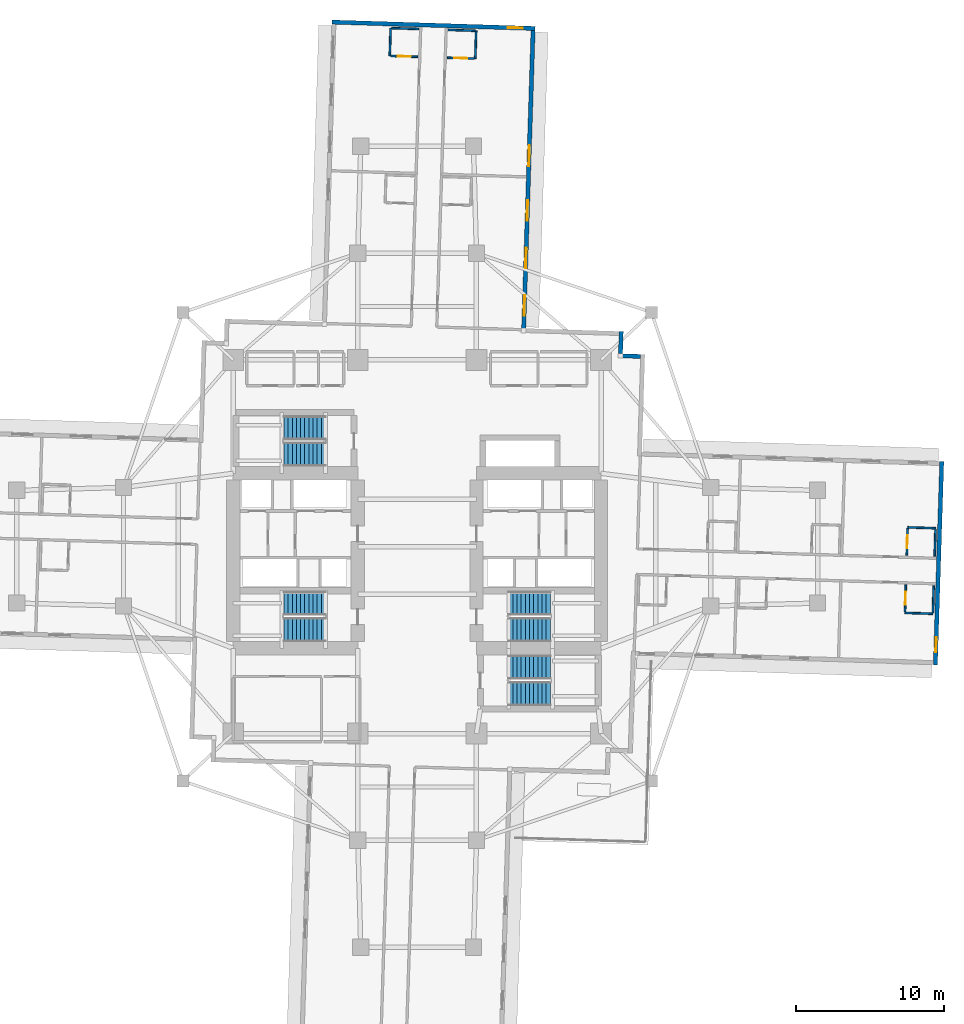
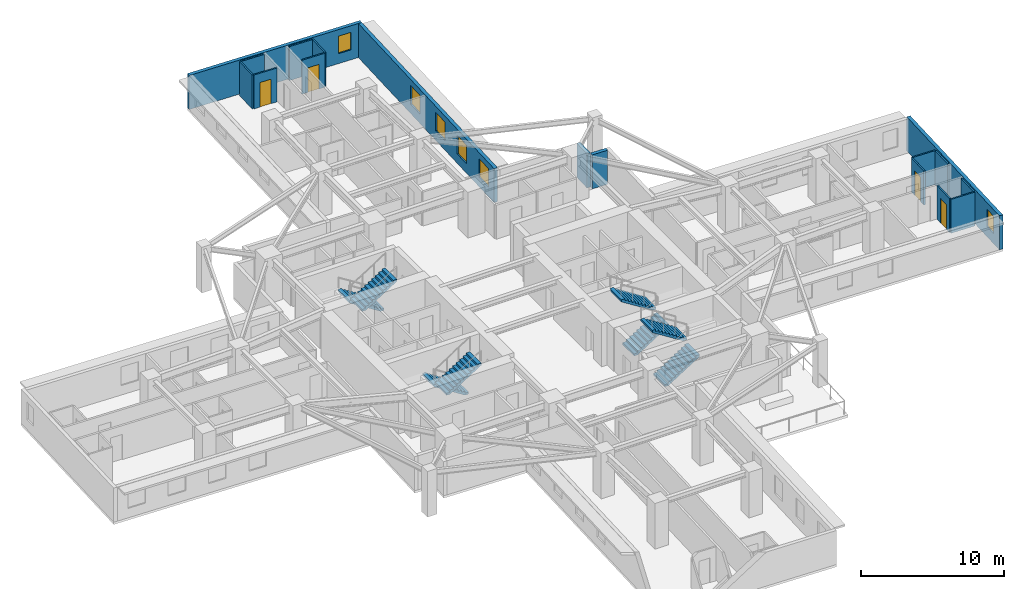
# One storey, part 8 of 13: 17 walls, 8 stair flights, 6 windows, 4 doors, 10 openings, 4 elements without a shape of their own.
"""IFC4 building model written with IfcOpenShell, lengths in metres."""

from ifc_helpers import new_model, si_unit, direction, frame, frame_2d, origin, place, context, subcontext, project, spatial, polyline, rectangle, outline, extrude, material, layer, layer_set, type_object, element, fill, aggregate, save


model = new_model("IFC4")

# Units and contexts
model_context = context("Model", 3, precision=1e-05, world=origin(), true_north=direction((0.0, 1.0)))
body_context = subcontext(model_context, "Body", "Model", "MODEL_VIEW")
ifc_project = project(units=[si_unit("LENGTHUNIT", "METRE"), si_unit("AREAUNIT", "SQUARE_METRE"), si_unit("VOLUMEUNIT", "CUBIC_METRE"), si_unit("PLANEANGLEUNIT", "RADIAN"), si_unit("MASSUNIT", "GRAM", prefix="KILO")], contexts=[model_context])

# Site, building, storey
site_placement = place(None, origin())
site = spatial("IfcSite", under=ifc_project, at=site_placement, CompositionType="ELEMENT")
building_placement = place(site_placement, origin())
building = spatial("IfcBuilding", under=site, at=building_placement, Name="Qingluan Cross Belvedere", CompositionType="ELEMENT")
storey_placement = place(building_placement, frame((0.0, 0.0, 71.699951171875)))
storey = spatial("IfcBuildingStorey", under=building, at=storey_placement, Name="L18", CompositionType="ELEMENT", Elevation=71.699951171875)

# Wall, opening, door
ifc_material_1 = material(Name="Moisture-resistant gypsum board lining")
ifc_layer_1 = layer(ifc_material_1, 0.1201171875, Name="EnsuiteWetPartition_120")
ifc_layer_set_1 = layer_set([ifc_layer_1], Name="Moisture-resistant gypsum board lining")
wall_type_1 = type_object("IfcWallType", Name="EnsuiteWetPartition_120", PredefinedType="PARTITIONING", material=ifc_layer_set_1)
wall_1_placement = place(storey_placement, frame((33.018310546875, -0.577392578125, 0.0), z_axis=(0.0, 0.0, 1.0), x_axis=(0.031255692016, 0.999511421504, 0.0)))
wall_1 = element("IfcWall", 1, at=wall_1_placement, inside=storey, type_object=wall_type_1, Name="Partition L18:E:bs0_2", PredefinedType="PARTITIONING", context=body_context, shape_type="SweptSolid", body=[
    extrude(rectangle(XDim=1.820068359375, YDim=0.1201171875, at=frame_2d((0.91015625, 0.0))), origin(), (0.0, 0.0, 1.0), 2.900146484375),
])
opening_1_placement = place(wall_1_placement, frame((0.469970703125, 0.0, 0.0)))
opening_1 = element("IfcOpeningElement", 2, at=opening_1_placement, cuts=wall_1, Name="Opening BD-09", PredefinedType="OPENING", context=body_context, shape_type="SweptSolid", body=[
    extrude(rectangle(XDim=0.8798828125, YDim=2.10009765625, at=frame_2d((0.43994140625, 1.050048828125))), frame((0.0, 0.070068359375, 0.0), z_axis=(0.0, -1.0, 0.0), x_axis=(1.0, 0.0, 0.0)), (0.0, 0.0, 1.0), 0.14013671875),
])
ifc_material_2 = material(Name="Moisture-sealed timber en-suite door", Category="wood")
door_type = type_object("IfcDoorType", Name="BathroomDoor_880", OperationType="NOTDEFINED", PredefinedType="DOOR", material=ifc_material_2)
door_1_placement = place(opening_1_placement, origin())
door_1 = element("IfcDoor", 3, at=door_1_placement, inside=storey, type_object=door_type, Name="Bathroom door 1803", OperationType="SINGLE_SWING_RIGHT", OverallHeight=2.10009765625, OverallWidth=0.8798828125, PredefinedType="DOOR", context=body_context, shape_type="SweptSolid", body=[
    extrude(rectangle(XDim=0.8798828125, YDim=2.10009765625, at=frame_2d((0.43994140625, 1.050048828125))), frame((0.0, 0.02490234375, 0.0), z_axis=(0.0, -1.0, 0.0), x_axis=(1.0, 0.0, 0.0)), (0.0, 0.0, 1.0), 0.050048828125),
])
fill(opening_1, door_1)

# Walls
wall_2_placement = place(storey_placement, frame((34.897216796875, -0.636474609375, 0.0), z_axis=(0.0, 0.0, 1.0), x_axis=(0.031389704724, 0.999507221803, 0.0)))
element("IfcWall", 4, at=wall_2_placement, inside=storey, type_object=wall_type_1, Name="Partition L18:E:bw0_2", PredefinedType="PARTITIONING", context=body_context, shape_type="SweptSolid", body=[
    extrude(rectangle(XDim=1.820068359375, YDim=0.1201171875, at=frame_2d((0.91015625, 0.0))), origin(), (0.0, 0.0, 1.0), 2.900146484375),
])
wall_3_placement = place(storey_placement, frame((33.077392578125, 1.306640625, 0.0), z_axis=(0.0, 0.0, 1.0), x_axis=(0.999505975261, -0.031429371883, 0.0)))
element("IfcWall", 5, at=wall_3_placement, inside=storey, type_object=wall_type_1, Name="Partition L18:E:bn0_2", PredefinedType="PARTITIONING", context=body_context, shape_type="SweptSolid", body=[
    extrude(rectangle(XDim=1.8798828125, YDim=0.1201171875, at=frame_2d((0.93994140625, 0.0))), origin(), (0.0, 0.0, 1.0), 2.900146484375),
])

# Wall, opening, door
wall_4_placement = place(storey_placement, frame((32.898193359375, -4.3955078125, 0.0), z_axis=(0.0, 0.0, 1.0), x_axis=(0.031389704724, 0.999507221803, 0.0)))
wall_4 = element("IfcWall", 6, at=wall_4_placement, inside=storey, type_object=wall_type_1, Name="Partition L18:E:bs1_2", PredefinedType="PARTITIONING", context=body_context, shape_type="SweptSolid", body=[
    extrude(rectangle(XDim=1.820068359375, YDim=0.1201171875, at=frame_2d((0.91015625, 0.0))), origin(), (0.0, 0.0, 1.0), 2.900146484375),
])
opening_2_placement = place(wall_4_placement, frame((0.469970703125, 0.0, 0.0)))
opening_2 = element("IfcOpeningElement", 7, at=opening_2_placement, cuts=wall_4, Name="Opening BD-09", PredefinedType="OPENING", context=body_context, shape_type="SweptSolid", body=[
    extrude(rectangle(XDim=0.8798828125, YDim=2.10009765625, at=frame_2d((0.43994140625, 1.050048828125))), frame((0.0, 0.070068359375, 0.0), z_axis=(0.0, -1.0, 0.0), x_axis=(1.0, 0.0, 0.0)), (0.0, 0.0, 1.0), 0.14013671875),
])
door_2_placement = place(opening_2_placement, origin())
door_2 = element("IfcDoor", 8, at=door_2_placement, inside=storey, type_object=door_type, Name="Bathroom door 1806", OperationType="SINGLE_SWING_RIGHT", OverallHeight=2.10009765625, OverallWidth=0.8798828125, PredefinedType="DOOR", context=body_context, shape_type="SweptSolid", body=[
    extrude(rectangle(XDim=0.8798828125, YDim=2.10009765625, at=frame_2d((0.43994140625, 1.050048828125))), frame((0.0, 0.02490234375, 0.0), z_axis=(0.0, -1.0, 0.0), x_axis=(1.0, 0.0, 0.0)), (0.0, 0.0, 1.0), 0.050048828125),
])
fill(opening_2, door_2)

# Walls
wall_5_placement = place(storey_placement, frame((34.777099609375, -4.45458984375, 0.0), z_axis=(0.0, 0.0, 1.0), x_axis=(0.03152371574, 0.999503004171, 0.0)))
element("IfcWall", 9, at=wall_5_placement, inside=storey, type_object=wall_type_1, Name="Partition L18:E:bw1_2", PredefinedType="PARTITIONING", context=body_context, shape_type="SweptSolid", body=[
    extrude(rectangle(XDim=1.820068359375, YDim=0.1201171875, at=frame_2d((0.91015625, 0.0))), origin(), (0.0, 0.0, 1.0), 2.900146484375),
])
wall_6_placement = place(storey_placement, frame((32.89599609375, -4.46044921875, 0.0), z_axis=(0.0, 0.0, 1.0), x_axis=(0.999506103526, -0.031425292588, 0.0)))
element("IfcWall", 10, at=wall_6_placement, inside=storey, type_object=wall_type_1, Name="Partition L18:E:bc1_2", PredefinedType="PARTITIONING", context=body_context, shape_type="SweptSolid", body=[
    extrude(rectangle(XDim=1.880126953125, YDim=0.1201171875, at=frame_2d((0.93994140625, 0.0))), origin(), (0.0, 0.0, 1.0), 2.900146484375),
])

# Wall, opening, door
wall_7_placement = place(storey_placement, frame((2.03662109375, 32.972412109375, 0.0), z_axis=(0.0, 0.0, 1.0), x_axis=(0.999503004171, -0.03152371574, 0.0)))
wall_7 = element("IfcWall", 11, at=wall_7_placement, inside=storey, type_object=wall_type_1, Name="Partition L18:N:bs0_1", PredefinedType="PARTITIONING", context=body_context, shape_type="SweptSolid", body=[
    extrude(rectangle(XDim=1.820068359375, YDim=0.1201171875, at=frame_2d((0.91015625, 0.0))), origin(), (0.0, 0.0, 1.0), 2.900146484375),
])
opening_3_placement = place(wall_7_placement, frame((0.469970703125, 0.0, 0.0)))
opening_3 = element("IfcOpeningElement", 12, at=opening_3_placement, cuts=wall_7, Name="Opening BD-09", PredefinedType="OPENING", context=body_context, shape_type="SweptSolid", body=[
    extrude(rectangle(XDim=0.8798828125, YDim=2.10009765625, at=frame_2d((0.43994140625, 1.050048828125))), frame((0.0, 0.070068359375, 0.0), z_axis=(0.0, -1.0, 0.0), x_axis=(1.0, 0.0, 0.0)), (0.0, 0.0, 1.0), 0.14013671875),
])
door_3_placement = place(opening_3_placement, origin())
door_3 = element("IfcDoor", 13, at=door_3_placement, inside=storey, type_object=door_type, Name="Bathroom door 1812", OperationType="SINGLE_SWING_RIGHT", OverallHeight=2.10009765625, OverallWidth=0.8798828125, PredefinedType="DOOR", context=body_context, shape_type="SweptSolid", body=[
    extrude(rectangle(XDim=0.8798828125, YDim=2.10009765625, at=frame_2d((0.43994140625, 1.050048828125))), frame((0.0, 0.02490234375, 0.0), z_axis=(0.0, -1.0, 0.0), x_axis=(1.0, 0.0, 0.0)), (0.0, 0.0, 1.0), 0.050048828125),
])
fill(opening_3, door_3)

# Walls
wall_8_placement = place(storey_placement, frame((2.095703125, 34.851318359375, 0.0), z_axis=(0.0, 0.0, 1.0), x_axis=(0.999507221803, -0.031389704724, 0.0)))
element("IfcWall", 14, at=wall_8_placement, inside=storey, type_object=wall_type_1, Name="Partition L18:N:bw0_1", PredefinedType="PARTITIONING", context=body_context, shape_type="SweptSolid", body=[
    extrude(rectangle(XDim=1.820068359375, YDim=0.1201171875, at=frame_2d((0.91015625, 0.0))), origin(), (0.0, 0.0, 1.0), 2.900146484375),
])
wall_9_placement = place(storey_placement, frame((3.9208984375, 32.9130859375, 0.0), z_axis=(0.0, 0.0, 1.0), x_axis=(0.031295563454, 0.999510173889, 0.0)))
element("IfcWall", 15, at=wall_9_placement, inside=storey, type_object=wall_type_1, Name="Partition L18:N:bn0_1", PredefinedType="PARTITIONING", context=body_context, shape_type="SweptSolid", body=[
    extrude(rectangle(XDim=1.880126953125, YDim=0.1201171875, at=frame_2d((0.93994140625, 0.0))), origin(), (0.0, 0.0, 1.0), 2.900146484375),
])

# Wall, opening, door
wall_10_placement = place(storey_placement, frame((-1.781494140625, 33.09228515625, 0.0), z_axis=(0.0, 0.0, 1.0), x_axis=(0.999507221803, -0.031389704724, 0.0)))
wall_10 = element("IfcWall", 16, at=wall_10_placement, inside=storey, type_object=wall_type_1, Name="Partition L18:N:bs1_1", PredefinedType="PARTITIONING", context=body_context, shape_type="SweptSolid", body=[
    extrude(rectangle(XDim=1.820068359375, YDim=0.1201171875, at=frame_2d((0.91015625, 0.0))), origin(), (0.0, 0.0, 1.0), 2.900146484375),
])
opening_4_placement = place(wall_10_placement, frame((0.469970703125, 0.0, 0.0)))
opening_4 = element("IfcOpeningElement", 17, at=opening_4_placement, cuts=wall_10, Name="Opening BD-09", PredefinedType="OPENING", context=body_context, shape_type="SweptSolid", body=[
    extrude(rectangle(XDim=0.8798828125, YDim=2.10009765625, at=frame_2d((0.43994140625, 1.050048828125))), frame((0.0, 0.070068359375, 0.0), z_axis=(0.0, -1.0, 0.0), x_axis=(1.0, 0.0, 0.0)), (0.0, 0.0, 1.0), 0.14013671875),
])
door_4_placement = place(opening_4_placement, origin())
door_4 = element("IfcDoor", 18, at=door_4_placement, inside=storey, type_object=door_type, Name="Bathroom door 1814", OperationType="SINGLE_SWING_RIGHT", OverallHeight=2.10009765625, OverallWidth=0.8798828125, PredefinedType="DOOR", context=body_context, shape_type="SweptSolid", body=[
    extrude(rectangle(XDim=0.8798828125, YDim=2.10009765625, at=frame_2d((0.43994140625, 1.050048828125))), frame((0.0, 0.02490234375, 0.0), z_axis=(0.0, -1.0, 0.0), x_axis=(1.0, 0.0, 0.0)), (0.0, 0.0, 1.0), 0.050048828125),
])
fill(opening_4, door_4)

# Walls
wall_11_placement = place(storey_placement, frame((-1.722412109375, 34.971435546875, 0.0), z_axis=(0.0, 0.0, 1.0), x_axis=(0.999507221803, -0.031389704724, 0.0)))
element("IfcWall", 19, at=wall_11_placement, inside=storey, type_object=wall_type_1, Name="Partition L18:N:bw1_1", PredefinedType="PARTITIONING", context=body_context, shape_type="SweptSolid", body=[
    extrude(rectangle(XDim=1.820068359375, YDim=0.1201171875, at=frame_2d((0.91015625, 0.0))), origin(), (0.0, 0.0, 1.0), 2.900146484375),
])
wall_12_placement = place(storey_placement, frame((-1.846435546875, 33.09423828125, 0.0), z_axis=(0.0, 0.0, 1.0), x_axis=(0.031425292588, 0.999506103526, 0.0)))
element("IfcWall", 20, at=wall_12_placement, inside=storey, type_object=wall_type_1, Name="Partition L18:N:bc1_1", PredefinedType="PARTITIONING", context=body_context, shape_type="SweptSolid", body=[
    extrude(rectangle(XDim=1.880126953125, YDim=0.1201171875, at=frame_2d((0.93994140625, 0.0))), origin(), (0.0, 0.0, 1.0), 2.900146484375),
])

# Wall, opening, window
ifc_material_3 = material(Name="Precast concrete C45", Category="concrete")
ifc_layer_2 = layer(ifc_material_3, 0.280029296875, Name="PrecastFacadeWall_280")
ifc_layer_set_2 = layer_set([ifc_layer_2], Name="Precast concrete C45")
wall_type_2 = type_object("IfcWallType", Name="PrecastFacadeWall_280", PredefinedType="STANDARD", material=ifc_layer_set_2)
wall_13_placement = place(storey_placement, frame((34.947265625, -7.961669921875, 0.0), z_axis=(0.0, 0.0, 1.0), x_axis=(0.031406966164, 0.999506679556, 0.0)))
wall_13 = element("IfcWall", 21, at=wall_13_placement, inside=storey, type_object=wall_type_2, Name="Arm tip precast facade wall L18-E", PredefinedType="STANDARD", context=body_context, shape_type="SweptSolid", body=[
    extrude(rectangle(XDim=13.72021484375, YDim=0.280029296875, at=frame_2d((6.860107421875, 0.0))), origin(), (0.0, 0.0, 1.0), 2.91015625),
])
opening_5_placement = place(wall_13_placement, frame((0.85009765625, 0.0, 0.85009765625)))
opening_5 = element("IfcOpeningElement", 22, at=opening_5_placement, cuts=wall_13, Name="Opening W-03", PredefinedType="OPENING", context=body_context, shape_type="SweptSolid", body=[
    extrude(rectangle(XDim=1.0, YDim=1.5, at=frame_2d((0.5, 0.75))), frame((0.0, 0.14990234375, 0.0), z_axis=(0.0, -1.0, 0.0), x_axis=(1.0, 0.0, 0.0)), (0.0, 0.0, 1.0), 0.300048828125),
])
ifc_material_4 = material(Name="Thermally broken triple Low-E glass in aluminium frame", Category="aluminium")
window_type_1 = type_object("IfcWindowType", Name="TriApexWin_1000x1500", PartitioningType="SINGLE_PANEL", PredefinedType="WINDOW", material=ifc_material_4)
window_1_placement = place(opening_5_placement, origin())
window_1 = element("IfcWindow", 23, at=window_1_placement, inside=storey, type_object=window_type_1, Name="Arm tip triangular window L18-E", OverallHeight=1.5, OverallWidth=1.0, PartitioningType="SINGLE_PANEL", PredefinedType="WINDOW", context=body_context, shape_type="SweptSolid", body=[
    extrude(rectangle(XDim=1.0, YDim=1.5, at=frame_2d((0.5, 0.75))), frame((0.0, 0.030029296875, 0.0), z_axis=(0.0, -1.0, 0.0), x_axis=(1.0, 0.0, 0.0)), (0.0, 0.0, 1.0), 0.06005859375),
])
fill(opening_5, window_1)

# Wall, openings, windows
wall_14_placement = place(storey_placement, frame((7.18603515625, 14.721435546875, 0.0), z_axis=(0.0, 0.0, 1.0), x_axis=(0.031410322165, 0.999506574096, 0.0)))
wall_14 = element("IfcWall", 24, at=wall_14_placement, inside=storey, type_object=wall_type_2, Name="Facade wall L18-NA", PredefinedType="STANDARD", context=body_context, shape_type="SweptSolid", body=[
    extrude(rectangle(XDim=20.10009765625, YDim=0.280029296875, at=frame_2d((10.050048828125, 0.0))), origin(), (0.0, 0.0, 1.0), 2.91015625),
])
opening_6_placement = place(wall_14_placement, frame((0.85009765625, 0.0, 0.800048828125)))
opening_6 = element("IfcOpeningElement", 25, at=opening_6_placement, cuts=wall_14, Name="Opening W-01", PredefinedType="OPENING", context=body_context, shape_type="SweptSolid", body=[
    extrude(rectangle(XDim=1.39990234375, YDim=1.60009765625, at=frame_2d((0.699951171875, 0.800048828125))), frame((0.0, 0.14990234375, 0.0), z_axis=(0.0, -1.0, 0.0), x_axis=(1.0, 0.0, 0.0)), (0.0, 0.0, 1.0), 0.300048828125),
])
opening_7_placement = place(wall_14_placement, frame((4.050048828125, 0.0, 0.800048828125)))
opening_7 = element("IfcOpeningElement", 26, at=opening_7_placement, cuts=wall_14, Name="Opening W-01", PredefinedType="OPENING", context=body_context, shape_type="SweptSolid", body=[
    extrude(rectangle(XDim=1.39990234375, YDim=1.60009765625, at=frame_2d((0.699951171875, 0.800048828125))), frame((0.0, 0.14990234375, 0.0), z_axis=(0.0, -1.0, 0.0), x_axis=(1.0, 0.0, 0.0)), (0.0, 0.0, 1.0), 0.300048828125),
])
opening_8_placement = place(wall_14_placement, frame((7.25, 0.0, 0.800048828125)))
opening_8 = element("IfcOpeningElement", 27, at=opening_8_placement, cuts=wall_14, Name="Opening W-01", PredefinedType="OPENING", context=body_context, shape_type="SweptSolid", body=[
    extrude(rectangle(XDim=1.39990234375, YDim=1.60009765625, at=frame_2d((0.699951171875, 0.800048828125))), frame((0.0, 0.14990234375, 0.0), z_axis=(0.0, -1.0, 0.0), x_axis=(1.0, 0.0, 0.0)), (0.0, 0.0, 1.0), 0.300048828125),
])
opening_9_placement = place(wall_14_placement, frame((10.949951171875, 0.0, 0.800048828125)))
opening_9 = element("IfcOpeningElement", 28, at=opening_9_placement, cuts=wall_14, Name="Opening W-01", PredefinedType="OPENING", context=body_context, shape_type="SweptSolid", body=[
    extrude(rectangle(XDim=1.39990234375, YDim=1.60009765625, at=frame_2d((0.699951171875, 0.800048828125))), frame((0.0, 0.14990234375, 0.0), z_axis=(0.0, -1.0, 0.0), x_axis=(1.0, 0.0, 0.0)), (0.0, 0.0, 1.0), 0.300048828125),
])
ifc_material_5 = material(Name="Thermally broken triple Low-E glass in aluminium frame", Category="aluminium")
window_type_2 = type_object("IfcWindowType", Name="TriRibbonWin_1400x1600", PartitioningType="SINGLE_PANEL", PredefinedType="WINDOW", material=ifc_material_5)
window_2_placement = place(opening_6_placement, origin())
window_2 = element("IfcWindow", 29, at=window_2_placement, inside=storey, type_object=window_type_2, Name="Ribbon window L18-NA-1", OverallHeight=1.60009765625, OverallWidth=1.39990234375, PartitioningType="SINGLE_PANEL", PredefinedType="WINDOW", context=body_context, shape_type="SweptSolid", body=[
    extrude(rectangle(XDim=1.39990234375, YDim=1.60009765625, at=frame_2d((0.699951171875, 0.800048828125))), frame((0.0, 0.030029296875, 0.0), z_axis=(0.0, -1.0, 0.0), x_axis=(1.0, 0.0, 0.0)), (0.0, 0.0, 1.0), 0.06005859375),
])
fill(opening_6, window_2)
window_3_placement = place(opening_7_placement, origin())
window_3 = element("IfcWindow", 30, at=window_3_placement, inside=storey, type_object=window_type_2, Name="Ribbon window L18-NA-2", OverallHeight=1.60009765625, OverallWidth=1.39990234375, PartitioningType="SINGLE_PANEL", PredefinedType="WINDOW", context=body_context, shape_type="SweptSolid", body=[
    extrude(rectangle(XDim=1.39990234375, YDim=1.60009765625, at=frame_2d((0.699951171875, 0.800048828125))), frame((0.0, 0.030029296875, 0.0), z_axis=(0.0, -1.0, 0.0), x_axis=(1.0, 0.0, 0.0)), (0.0, 0.0, 1.0), 0.06005859375),
])
fill(opening_7, window_3)
window_4_placement = place(opening_8_placement, origin())
window_4 = element("IfcWindow", 31, at=window_4_placement, inside=storey, type_object=window_type_2, Name="Ribbon window L18-NA-3", OverallHeight=1.60009765625, OverallWidth=1.39990234375, PartitioningType="SINGLE_PANEL", PredefinedType="WINDOW", context=body_context, shape_type="SweptSolid", body=[
    extrude(rectangle(XDim=1.39990234375, YDim=1.60009765625, at=frame_2d((0.699951171875, 0.800048828125))), frame((0.0, 0.030029296875, 0.0), z_axis=(0.0, -1.0, 0.0), x_axis=(1.0, 0.0, 0.0)), (0.0, 0.0, 1.0), 0.06005859375),
])
fill(opening_8, window_4)
window_5_placement = place(opening_9_placement, origin())
window_5 = element("IfcWindow", 32, at=window_5_placement, inside=storey, type_object=window_type_2, Name="Ribbon window L18-NA-4", OverallHeight=1.60009765625, OverallWidth=1.39990234375, PartitioningType="SINGLE_PANEL", PredefinedType="WINDOW", context=body_context, shape_type="SweptSolid", body=[
    extrude(rectangle(XDim=1.39990234375, YDim=1.60009765625, at=frame_2d((0.699951171875, 0.800048828125))), frame((0.0, 0.030029296875, 0.0), z_axis=(0.0, -1.0, 0.0), x_axis=(1.0, 0.0, 0.0)), (0.0, 0.0, 1.0), 0.06005859375),
])
fill(opening_9, window_5)

# Wall, opening, window
wall_15_placement = place(storey_placement, frame((7.961669921875, 34.947265625, 0.0), z_axis=(0.0, 0.0, 1.0), x_axis=(-0.999506679556, 0.031406966164, 0.0)))
wall_15 = element("IfcWall", 33, at=wall_15_placement, inside=storey, type_object=wall_type_2, Name="Arm tip precast facade wall L18-N", PredefinedType="STANDARD", context=body_context, shape_type="SweptSolid", body=[
    extrude(rectangle(XDim=13.72021484375, YDim=0.280029296875, at=frame_2d((6.860107421875, 0.0))), origin(), (0.0, 0.0, 1.0), 2.91015625),
])
opening_10_placement = place(wall_15_placement, frame((0.85009765625, 0.0, 0.85009765625)))
opening_10 = element("IfcOpeningElement", 34, at=opening_10_placement, cuts=wall_15, Name="Opening W-03", PredefinedType="OPENING", context=body_context, shape_type="SweptSolid", body=[
    extrude(rectangle(XDim=1.0, YDim=1.5, at=frame_2d((0.5, 0.75))), frame((0.0, 0.14990234375, 0.0), z_axis=(0.0, -1.0, 0.0), x_axis=(1.0, 0.0, 0.0)), (0.0, 0.0, 1.0), 0.300048828125),
])
window_6_placement = place(opening_10_placement, origin())
window_6 = element("IfcWindow", 35, at=window_6_placement, inside=storey, type_object=window_type_1, Name="Arm tip triangular window L18-N", OverallHeight=1.5, OverallWidth=1.0, PartitioningType="SINGLE_PANEL", PredefinedType="WINDOW", context=body_context, shape_type="SweptSolid", body=[
    extrude(rectangle(XDim=1.0, YDim=1.5, at=frame_2d((0.5, 0.75))), frame((0.0, 0.030029296875, 0.0), z_axis=(0.0, -1.0, 0.0), x_axis=(1.0, 0.0, 0.0)), (0.0, 0.0, 1.0), 0.06005859375),
])
fill(opening_10, window_6)

# Walls
wall_16_placement = place(storey_placement, frame((15.070556640625, 12.8330078125, 0.0), z_axis=(0.0, 0.0, 1.0), x_axis=(-0.999506398264, 0.031415916822, 0.0)))
element("IfcWall", 36, at=wall_16_placement, inside=storey, type_object=wall_type_2, Name="Corner wall L18-NE2", PredefinedType="STANDARD", context=body_context, shape_type="SweptSolid", body=[
    extrude(rectangle(XDim=1.219970703125, YDim=0.280029296875, at=frame_2d((0.60986328125, 0.0))), origin(), (0.0, 0.0, 1.0), 2.91015625),
])
wall_17_placement = place(storey_placement, frame((13.715576171875, 13.015625, 0.0), z_axis=(0.0, 0.0, 1.0), x_axis=(0.031412596484, 0.999506502621, 0.0)))
element("IfcWall", 37, at=wall_17_placement, inside=storey, type_object=wall_type_2, Name="Corner wall L18-NE3", PredefinedType="STANDARD", context=body_context, shape_type="SweptSolid", body=[
    extrude(rectangle(XDim=1.5, YDim=0.280029296875, at=frame_2d((0.75, 0.0))), origin(), (0.0, 0.0, 1.0), 2.91015625),
])

# Stair, stair flights
ifc_material_6 = material(Name="Concrete C40", Category="concrete")
stair_type = type_object("IfcStairType", Name="CoreDoglegStair_1620", PredefinedType="HALF_TURN_STAIR", material=ifc_material_6)
stair_1_placement = place(storey_placement, origin())
stair_1 = element("IfcStair", 38, at=stair_1_placement, inside=storey, type_object=stair_type, Name="L18 ST1", PredefinedType="HALF_TURN_STAIR")
ifc_material_7 = material(Name="Concrete C40", Category="concrete")
ifc_layer_3 = layer(ifc_material_7, 0.179931640625, Name="StairFlight_RC180")
ifc_layer_set_3 = layer_set([ifc_layer_3], Name="Concrete C40")
stair_flight_type = type_object("IfcStairFlightType", Name="StairFlight_RC180", PredefinedType="STRAIGHT", material=ifc_layer_set_3)
stair_flight_1_placement = place(storey_placement, frame((-6.179931640625, -3.81005859375, 0.0), z_axis=(0.0, 0.0, 1.0), x_axis=(-1.0, 0.0, 0.0)))
stair_flight_1 = element("IfcStairFlight", 39, at=stair_flight_1_placement, type_object=stair_flight_type, Name="ST1 flight 1", NumberOfRisers=11, NumberOfTreads=10, PredefinedType="STRAIGHT", RiserHeight=0.177272727, TreadLength=0.28, context=body_context, shape_type="SweptSolid", body=[
    extrude(outline(polyline([(0.0, 0.0), (0.0, 0.17724609375), (0.280029296875, 0.17724609375), (0.280029296875, 0.3544921875), (0.56005859375, 0.3544921875), (0.56005859375, 0.53173828125), (0.840087890625, 0.53173828125), (0.840087890625, 0.708984375), (1.1201171875, 0.708984375), (1.1201171875, 0.886474609375), (1.39990234375, 0.886474609375), (1.39990234375, 1.063720703125), (1.679931640625, 1.063720703125), (1.679931640625, 1.240966796875), (1.9599609375, 1.240966796875), (1.9599609375, 1.418212890625), (2.239990234375, 1.418212890625), (2.239990234375, 1.595458984375), (2.52001953125, 1.595458984375), (2.52001953125, 1.772705078125), (2.800048828125, 1.772705078125), (2.800048828125, 1.949951171875), (2.800048828125, 1.59521484375), (0.2802734375, 0.0), (0.0, 0.0)])), frame((0.0, 0.81005859375, 0.0), z_axis=(0.0, -1.0, 0.0), x_axis=(1.0, 0.0, 0.0)), (0.0, 0.0, 1.0), 1.6201171875),
])
stair_flight_2_placement = place(storey_placement, frame((-8.97998046875, -5.590087890625, 1.949951171875), z_axis=(0.0, 0.0, 1.0), x_axis=(1.0, 0.0, 0.0)))
stair_flight_2 = element("IfcStairFlight", 40, at=stair_flight_2_placement, type_object=stair_flight_type, Name="ST1 flight 2", NumberOfRisers=11, NumberOfTreads=10, PredefinedType="STRAIGHT", RiserHeight=0.177272727, TreadLength=0.28, context=body_context, shape_type="SweptSolid", body=[
    extrude(outline(polyline([(0.0, 0.0), (0.0, 0.17724609375), (0.280029296875, 0.17724609375), (0.280029296875, 0.3544921875), (0.56005859375, 0.3544921875), (0.56005859375, 0.53173828125), (0.840087890625, 0.53173828125), (0.840087890625, 0.708984375), (1.1201171875, 0.708984375), (1.1201171875, 0.886474609375), (1.39990234375, 0.886474609375), (1.39990234375, 1.063720703125), (1.679931640625, 1.063720703125), (1.679931640625, 1.240966796875), (1.9599609375, 1.240966796875), (1.9599609375, 1.418212890625), (2.239990234375, 1.418212890625), (2.239990234375, 1.595458984375), (2.52001953125, 1.595458984375), (2.52001953125, 1.772705078125), (2.800048828125, 1.772705078125), (2.800048828125, 1.949951171875), (2.800048828125, 1.59521484375), (0.2802734375, 0.0), (0.0, 0.0)])), frame((0.0, 0.81005859375, 0.0), z_axis=(0.0, -1.0, 0.0), x_axis=(1.0, 0.0, 0.0)), (0.0, 0.0, 1.0), 1.6201171875),
])
aggregate(stair_1, [stair_flight_1, stair_flight_2])

stair_2_placement = place(storey_placement, origin())
stair_2 = element("IfcStair", 41, at=stair_2_placement, inside=storey, type_object=stair_type, Name="L18 ST2", PredefinedType="HALF_TURN_STAIR")
stair_flight_3_placement = place(storey_placement, frame((6.179931640625, -5.590087890625, 0.0), z_axis=(0.0, 0.0, 1.0), x_axis=(1.0, 0.0, 0.0)))
stair_flight_3 = element("IfcStairFlight", 42, at=stair_flight_3_placement, type_object=stair_flight_type, Name="ST2 flight 1", NumberOfRisers=11, NumberOfTreads=10, PredefinedType="STRAIGHT", RiserHeight=0.177272727, TreadLength=0.28, context=body_context, shape_type="SweptSolid", body=[
    extrude(outline(polyline([(0.0, 0.0), (0.0, 0.17724609375), (0.280029296875, 0.17724609375), (0.280029296875, 0.3544921875), (0.56005859375, 0.3544921875), (0.56005859375, 0.53173828125), (0.840087890625, 0.53173828125), (0.840087890625, 0.708984375), (1.1201171875, 0.708984375), (1.1201171875, 0.886474609375), (1.39990234375, 0.886474609375), (1.39990234375, 1.063720703125), (1.679931640625, 1.063720703125), (1.679931640625, 1.240966796875), (1.9599609375, 1.240966796875), (1.9599609375, 1.418212890625), (2.239990234375, 1.418212890625), (2.239990234375, 1.595458984375), (2.52001953125, 1.595458984375), (2.52001953125, 1.772705078125), (2.800048828125, 1.772705078125), (2.800048828125, 1.949951171875), (2.800048828125, 1.59521484375), (0.2802734375, 0.0), (0.0, 0.0)])), frame((0.0, 0.81005859375, 0.0), z_axis=(0.0, -1.0, 0.0), x_axis=(1.0, 0.0, 0.0)), (0.0, 0.0, 1.0), 1.6201171875),
])
stair_flight_4_placement = place(storey_placement, frame((8.97998046875, -3.81005859375, 1.949951171875), z_axis=(0.0, 0.0, 1.0), x_axis=(-1.0, 0.0, 0.0)))
stair_flight_4 = element("IfcStairFlight", 43, at=stair_flight_4_placement, type_object=stair_flight_type, Name="ST2 flight 2", NumberOfRisers=11, NumberOfTreads=10, PredefinedType="STRAIGHT", RiserHeight=0.177272727, TreadLength=0.28, context=body_context, shape_type="SweptSolid", body=[
    extrude(outline(polyline([(0.0, 0.0), (0.0, 0.17724609375), (0.280029296875, 0.17724609375), (0.280029296875, 0.3544921875), (0.56005859375, 0.3544921875), (0.56005859375, 0.53173828125), (0.840087890625, 0.53173828125), (0.840087890625, 0.708984375), (1.1201171875, 0.708984375), (1.1201171875, 0.886474609375), (1.39990234375, 0.886474609375), (1.39990234375, 1.063720703125), (1.679931640625, 1.063720703125), (1.679931640625, 1.240966796875), (1.9599609375, 1.240966796875), (1.9599609375, 1.418212890625), (2.239990234375, 1.418212890625), (2.239990234375, 1.595458984375), (2.52001953125, 1.595458984375), (2.52001953125, 1.772705078125), (2.800048828125, 1.772705078125), (2.800048828125, 1.949951171875), (2.800048828125, 1.59521484375), (0.2802734375, 0.0), (0.0, 0.0)])), frame((0.0, 0.81005859375, 0.0), z_axis=(0.0, -1.0, 0.0), x_axis=(1.0, 0.0, 0.0)), (0.0, 0.0, 1.0), 1.6201171875),
])
aggregate(stair_2, [stair_flight_3, stair_flight_4])

stair_3_placement = place(storey_placement, origin())
stair_3 = element("IfcStair", 44, at=stair_3_placement, inside=storey, type_object=stair_type, Name="L18 ST3", PredefinedType="HALF_TURN_STAIR")
stair_flight_5_placement = place(storey_placement, frame((-6.179931640625, 8.010009765625, 0.0), z_axis=(0.0, 0.0, 1.0), x_axis=(-1.0, 0.0, 0.0)))
stair_flight_5 = element("IfcStairFlight", 45, at=stair_flight_5_placement, type_object=stair_flight_type, Name="ST3 flight 1", NumberOfRisers=11, NumberOfTreads=10, PredefinedType="STRAIGHT", RiserHeight=0.177272727, TreadLength=0.28, context=body_context, shape_type="SweptSolid", body=[
    extrude(outline(polyline([(0.0, 0.0), (0.0, 0.17724609375), (0.280029296875, 0.17724609375), (0.280029296875, 0.3544921875), (0.56005859375, 0.3544921875), (0.56005859375, 0.53173828125), (0.840087890625, 0.53173828125), (0.840087890625, 0.708984375), (1.1201171875, 0.708984375), (1.1201171875, 0.886474609375), (1.39990234375, 0.886474609375), (1.39990234375, 1.063720703125), (1.679931640625, 1.063720703125), (1.679931640625, 1.240966796875), (1.9599609375, 1.240966796875), (1.9599609375, 1.418212890625), (2.239990234375, 1.418212890625), (2.239990234375, 1.595458984375), (2.52001953125, 1.595458984375), (2.52001953125, 1.772705078125), (2.800048828125, 1.772705078125), (2.800048828125, 1.949951171875), (2.800048828125, 1.59521484375), (0.2802734375, 0.0), (0.0, 0.0)])), frame((0.0, 0.81005859375, 0.0), z_axis=(0.0, -1.0, 0.0), x_axis=(1.0, 0.0, 0.0)), (0.0, 0.0, 1.0), 1.6201171875),
])
stair_flight_6_placement = place(storey_placement, frame((-8.97998046875, 6.22998046875, 1.949951171875), z_axis=(0.0, 0.0, 1.0), x_axis=(1.0, 0.0, 0.0)))
stair_flight_6 = element("IfcStairFlight", 46, at=stair_flight_6_placement, type_object=stair_flight_type, Name="ST3 flight 2", NumberOfRisers=11, NumberOfTreads=10, PredefinedType="STRAIGHT", RiserHeight=0.177272727, TreadLength=0.28, context=body_context, shape_type="SweptSolid", body=[
    extrude(outline(polyline([(0.0, 0.0), (0.0, 0.17724609375), (0.280029296875, 0.17724609375), (0.280029296875, 0.3544921875), (0.56005859375, 0.3544921875), (0.56005859375, 0.53173828125), (0.840087890625, 0.53173828125), (0.840087890625, 0.708984375), (1.1201171875, 0.708984375), (1.1201171875, 0.886474609375), (1.39990234375, 0.886474609375), (1.39990234375, 1.063720703125), (1.679931640625, 1.063720703125), (1.679931640625, 1.240966796875), (1.9599609375, 1.240966796875), (1.9599609375, 1.418212890625), (2.239990234375, 1.418212890625), (2.239990234375, 1.595458984375), (2.52001953125, 1.595458984375), (2.52001953125, 1.772705078125), (2.800048828125, 1.772705078125), (2.800048828125, 1.949951171875), (2.800048828125, 1.59521484375), (0.2802734375, 0.0), (0.0, 0.0)])), frame((0.0, 0.81005859375, 0.0), z_axis=(0.0, -1.0, 0.0), x_axis=(1.0, 0.0, 0.0)), (0.0, 0.0, 1.0), 1.6201171875),
])
aggregate(stair_3, [stair_flight_5, stair_flight_6])

stair_4_placement = place(storey_placement, origin())
stair_4 = element("IfcStair", 47, at=stair_4_placement, inside=storey, type_object=stair_type, Name="L18 ST4", PredefinedType="HALF_TURN_STAIR")
stair_flight_7_placement = place(storey_placement, frame((6.179931640625, -9.909912109375, 0.0), z_axis=(0.0, 0.0, 1.0), x_axis=(1.0, 0.0, 0.0)))
stair_flight_7 = element("IfcStairFlight", 48, at=stair_flight_7_placement, type_object=stair_flight_type, Name="ST4 flight 1", NumberOfRisers=11, NumberOfTreads=10, PredefinedType="STRAIGHT", RiserHeight=0.177272727, TreadLength=0.28, context=body_context, shape_type="SweptSolid", body=[
    extrude(outline(polyline([(0.0, 0.0), (0.0, 0.17724609375), (0.280029296875, 0.17724609375), (0.280029296875, 0.3544921875), (0.56005859375, 0.3544921875), (0.56005859375, 0.53173828125), (0.840087890625, 0.53173828125), (0.840087890625, 0.708984375), (1.1201171875, 0.708984375), (1.1201171875, 0.886474609375), (1.39990234375, 0.886474609375), (1.39990234375, 1.063720703125), (1.679931640625, 1.063720703125), (1.679931640625, 1.240966796875), (1.9599609375, 1.240966796875), (1.9599609375, 1.418212890625), (2.239990234375, 1.418212890625), (2.239990234375, 1.595458984375), (2.52001953125, 1.595458984375), (2.52001953125, 1.772705078125), (2.800048828125, 1.772705078125), (2.800048828125, 1.949951171875), (2.800048828125, 1.59521484375), (0.2802734375, 0.0), (0.0, 0.0)])), frame((0.0, 0.81005859375, 0.0), z_axis=(0.0, -1.0, 0.0), x_axis=(1.0, 0.0, 0.0)), (0.0, 0.0, 1.0), 1.6201171875),
])
stair_flight_8_placement = place(storey_placement, frame((8.97998046875, -8.1298828125, 1.949951171875), z_axis=(0.0, 0.0, 1.0), x_axis=(-1.0, 0.0, 0.0)))
stair_flight_8 = element("IfcStairFlight", 49, at=stair_flight_8_placement, type_object=stair_flight_type, Name="ST4 flight 2", NumberOfRisers=11, NumberOfTreads=10, PredefinedType="STRAIGHT", RiserHeight=0.177272727, TreadLength=0.28, context=body_context, shape_type="SweptSolid", body=[
    extrude(outline(polyline([(0.0, 0.0), (0.0, 0.17724609375), (0.280029296875, 0.17724609375), (0.280029296875, 0.3544921875), (0.56005859375, 0.3544921875), (0.56005859375, 0.53173828125), (0.840087890625, 0.53173828125), (0.840087890625, 0.708984375), (1.1201171875, 0.708984375), (1.1201171875, 0.886474609375), (1.39990234375, 0.886474609375), (1.39990234375, 1.063720703125), (1.679931640625, 1.063720703125), (1.679931640625, 1.240966796875), (1.9599609375, 1.240966796875), (1.9599609375, 1.418212890625), (2.239990234375, 1.418212890625), (2.239990234375, 1.595458984375), (2.52001953125, 1.595458984375), (2.52001953125, 1.772705078125), (2.800048828125, 1.772705078125), (2.800048828125, 1.949951171875), (2.800048828125, 1.59521484375), (0.2802734375, 0.0), (0.0, 0.0)])), frame((0.0, 0.81005859375, 0.0), z_axis=(0.0, -1.0, 0.0), x_axis=(1.0, 0.0, 0.0)), (0.0, 0.0, 1.0), 1.6201171875),
])
aggregate(stair_4, [stair_flight_7, stair_flight_8])

save(model, "model.ifc")
